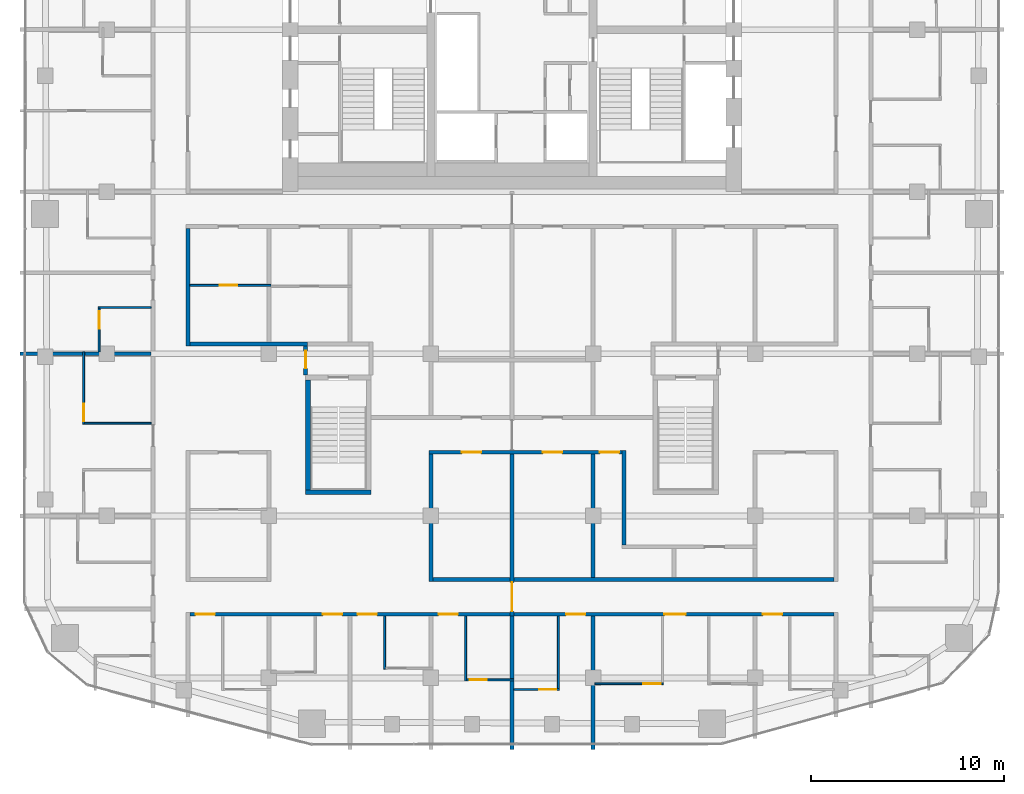
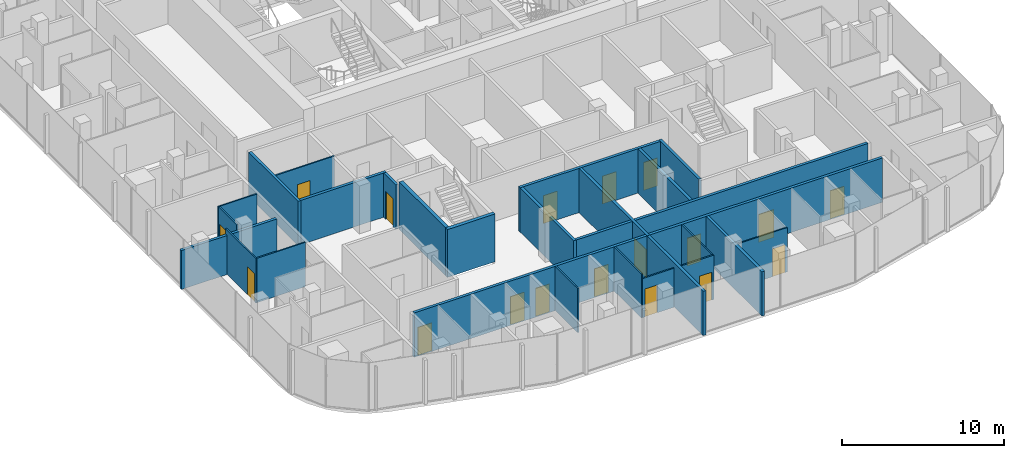
# One storey, part 14 of 22: 26 walls, 18 doors, 18 openings.
"""IFC4 building model written with IfcOpenShell, lengths in metres."""

from ifc_helpers import new_model, si_unit, direction, frame, frame_2d, origin, place, context, subcontext, project, spatial, rectangle, extrude, material, layer, layer_set, type_object, element, fill, save


model = new_model("IFC4")

# Units and contexts
model_context = context("Model", 3, precision=1e-05, world=origin(), true_north=direction((0.0, 1.0)))
body_context = subcontext(model_context, "Body", "Model", "MODEL_VIEW")
ifc_project = project(units=[si_unit("LENGTHUNIT", "METRE"), si_unit("AREAUNIT", "SQUARE_METRE"), si_unit("VOLUMEUNIT", "CUBIC_METRE"), si_unit("PLANEANGLEUNIT", "RADIAN"), si_unit("MASSUNIT", "GRAM", prefix="KILO")], contexts=[model_context])

# Site, building, storey
site_placement = place(None, origin())
site = spatial("IfcSite", under=ifc_project, at=site_placement, CompositionType="ELEMENT")
building_placement = place(site_placement, origin())
building = spatial("IfcBuilding", under=site, at=building_placement, Name="Marenta Gate Hotel Tower", CompositionType="ELEMENT")
storey_placement = place(building_placement, frame((0.0, 0.0, 209.300048828125)))
storey = spatial("IfcBuildingStorey", under=building, at=storey_placement, Name="L48", CompositionType="ELEMENT", Elevation=209.300048828125)

# Wall
ifc_material_1 = material(Name="Concrete blockwork", Category="masonry")
ifc_layer_1 = layer(ifc_material_1, 0.199951171875)
ifc_layer_set_1 = layer_set([ifc_layer_1], Name="Concrete blockwork")
wall_type_1 = type_object("IfcWallType", Name="Compartment wall 200 REI 180", PredefinedType="PARTITIONING", material=ifc_layer_set_1)
wall_1_placement = place(storey_placement, frame((0.0, -28.89990234375, 0.0), z_axis=(0.0, 0.0, 1.0), x_axis=(0.0, 1.0, 0.0)))
element("IfcWall", 1, at=wall_1_placement, inside=storey, type_object=wall_type_1, Name="L48-PTN-W080", PredefinedType="PARTITIONING", context=body_context, shape_type="SweptSolid", body=[
    extrude(rectangle(XDim=6.89990234375, YDim=0.199951171875, at=frame_2d((3.449951171875, 0.0))), origin(), (0.0, 0.0, 1.0), 3.33984375),
])

# Wall, opening, door
wall_2_placement = place(storey_placement, frame((0.0, -22.0, 0.0), z_axis=(0.0, 0.0, 1.0), x_axis=(0.0, 1.0, 0.0)))
wall_2 = element("IfcWall", 2, at=wall_2_placement, inside=storey, type_object=wall_type_1, Name="L48-PTN-W081", PredefinedType="PARTITIONING", context=body_context, shape_type="SweptSolid", body=[
    extrude(rectangle(XDim=8.39990234375, YDim=0.199951171875, at=frame_2d((4.199951171875, 0.0))), origin(), (0.0, 0.0, 1.0), 3.33984375),
])
opening_1_placement = place(wall_2_placement, frame((0.25, 0.0, 0.0)))
opening_1 = element("IfcOpeningElement", 3, at=opening_1_placement, cuts=wall_2, Name="Opening G17-FD4", PredefinedType="OPENING", context=body_context, shape_type="SweptSolid", body=[
    extrude(rectangle(XDim=1.5, YDim=2.10009765625, at=frame_2d((0.75, 1.050048828125))), frame((0.0, 0.10009765625, 0.0), z_axis=(0.0, -1.0, 0.0), x_axis=(1.0, 0.0, 0.0)), (0.0, 0.0, 1.0), 0.199951171875),
])
ifc_material_2 = material(Name="Hollow steel door set", Category="steel")
door_type_1 = type_object("IfcDoorType", Name="Compartment fire door 1500x2100 EI 60", OperationType="DOUBLE_DOOR_DOUBLE_SWING", PredefinedType="DOOR", material=ifc_material_2)
door_1_placement = place(opening_1_placement, origin())
door_1 = element("IfcDoor", 4, at=door_1_placement, inside=storey, type_object=door_type_1, Name="L48-PD-FD04", OperationType="DOUBLE_DOOR_DOUBLE_SWING", OverallHeight=2.10009765625, OverallWidth=1.5, PredefinedType="DOOR", context=body_context, shape_type="SweptSolid", body=[
    extrude(rectangle(XDim=1.5, YDim=2.10009765625, at=frame_2d((0.75, 1.050048828125))), frame((0.0, 0.02490234375, 0.0), z_axis=(0.0, -1.0, 0.0), x_axis=(1.0, 0.0, 0.0)), (0.0, 0.0, 1.0), 0.050048828125),
])
fill(opening_1, door_1)

# Walls
ifc_material_3 = material(Name="Concrete C40", Category="concrete")
ifc_layer_2 = layer(ifc_material_3, 0.25)
ifc_layer_set_2 = layer_set([ifc_layer_2], Name="Concrete C40")
wall_type_2 = type_object("IfcWallType", Name="Remote stair enclosure wall 250 REI 180", PredefinedType="SHEAR", material=ifc_layer_set_2)
wall_3_placement = place(storey_placement, frame((-10.699951171875, -15.574951171875, 0.099853515625), z_axis=(0.0, 0.0, 1.0), x_axis=(1.0, 0.0, 0.0)))
element("IfcWall", 5, at=wall_3_placement, inside=storey, type_object=wall_type_2, Name="L48-RS-Z3-1-W1", PredefinedType="SHEAR", context=body_context, shape_type="SweptSolid", body=[
    extrude(rectangle(XDim=3.39990234375, YDim=0.25, at=frame_2d((1.699951171875, 0.0))), origin(), (0.0, 0.0, 1.0), 3.60009765625),
])
wall_4_placement = place(storey_placement, frame((-10.574951171875, -15.449951171875, 0.099853515625), z_axis=(0.0, 0.0, 1.0), x_axis=(0.0, 1.0, 0.0)))
element("IfcWall", 6, at=wall_4_placement, inside=storey, type_object=wall_type_2, Name="L48-RS-Z3-1-W3", PredefinedType="SHEAR", context=body_context, shape_type="SweptSolid", body=[
    extrude(rectangle(XDim=5.699951171875, YDim=0.25, at=frame_2d((2.85009765625, 0.0))), origin(), (0.0, 0.0, 1.0), 3.60009765625),
])
ifc_material_4 = material(Name="Concrete blockwork", Category="masonry")
ifc_layer_3 = layer(ifc_material_4, 0.199951171875)
ifc_layer_set_3 = layer_set([ifc_layer_3], Name="Concrete blockwork")
wall_type_3 = type_object("IfcWallType", Name="Room corridor wall 200 EI 120", PredefinedType="PARTITIONING", material=ifc_layer_set_3)
wall_5_placement = place(storey_placement, frame((-16.699951171875, -7.89990234375, 0.0), z_axis=(0.0, 0.0, 1.0), x_axis=(1.0, 0.0, 0.0)))
element("IfcWall", 7, at=wall_5_placement, inside=storey, type_object=wall_type_3, Name="L48-PTN-W059", PredefinedType="PARTITIONING", context=body_context, shape_type="SweptSolid", body=[
    extrude(rectangle(XDim=6.099853515625, YDim=0.199951171875, at=frame_2d((3.0498046875, 0.0))), origin(), (0.0, 0.0, 1.0), 3.33984375),
])

# Wall, openings, doors
ifc_material_5 = material(Name="Gypsum board on steel stud", Category="steel")
ifc_layer_4 = layer(ifc_material_5, 0.199951171875)
ifc_layer_set_4 = layer_set([ifc_layer_4], Name="Gypsum board on steel stud")
wall_type_4 = type_object("IfcWallType", Name="Room corridor wall 200 EI 60", PredefinedType="PARTITIONING", material=ifc_layer_set_4)
wall_6_placement = place(storey_placement, frame((-16.699951171875, -21.89990234375, 0.0), z_axis=(0.0, 0.0, 1.0), x_axis=(1.0, 0.0, 0.0)))
wall_6 = element("IfcWall", 8, at=wall_6_placement, inside=storey, type_object=wall_type_4, Name="L48-PTN-W019", PredefinedType="PARTITIONING", context=body_context, shape_type="SweptSolid", body=[
    extrude(rectangle(XDim=33.39990234375, YDim=0.199951171875, at=frame_2d((16.699951171875, 0.0))), origin(), (0.0, 0.0, 1.0), 3.33984375),
])
opening_2_placement = place(wall_6_placement, frame((0.300048828125, 0.0, 0.0)))
opening_2 = element("IfcOpeningElement", 9, at=opening_2_placement, cuts=wall_6, Name="Opening G17-41", PredefinedType="OPENING", context=body_context, shape_type="SweptSolid", body=[
    extrude(rectangle(XDim=1.0, YDim=2.10009765625, at=frame_2d((0.5, 1.050048828125))), frame((0.0, 0.10009765625, 0.0), z_axis=(0.0, -1.0, 0.0), x_axis=(1.0, 0.0, 0.0)), (0.0, 0.0, 1.0), 0.199951171875),
])
opening_3_placement = place(wall_6_placement, frame((6.89990234375, 0.0, 0.0)))
opening_3 = element("IfcOpeningElement", 10, at=opening_3_placement, cuts=wall_6, Name="Opening G17-43", PredefinedType="OPENING", context=body_context, shape_type="SweptSolid", body=[
    extrude(rectangle(XDim=1.0, YDim=2.10009765625, at=frame_2d((0.5, 1.050048828125))), frame((0.0, 0.10009765625, 0.0), z_axis=(0.0, -1.0, 0.0), x_axis=(1.0, 0.0, 0.0)), (0.0, 0.0, 1.0), 0.199951171875),
])
opening_4_placement = place(wall_6_placement, frame((8.699951171875, 0.0, 0.0)))
opening_4 = element("IfcOpeningElement", 11, at=opening_4_placement, cuts=wall_6, Name="Opening G17-45", PredefinedType="OPENING", context=body_context, shape_type="SweptSolid", body=[
    extrude(rectangle(XDim=1.0, YDim=2.10009765625, at=frame_2d((0.5, 1.050048828125))), frame((0.0, 0.10009765625, 0.0), z_axis=(0.0, -1.0, 0.0), x_axis=(1.0, 0.0, 0.0)), (0.0, 0.0, 1.0), 0.199951171875),
])
opening_5_placement = place(wall_6_placement, frame((12.89990234375, 0.0, 0.0)))
opening_5 = element("IfcOpeningElement", 12, at=opening_5_placement, cuts=wall_6, Name="Opening G17-47", PredefinedType="OPENING", context=body_context, shape_type="SweptSolid", body=[
    extrude(rectangle(XDim=1.0, YDim=2.10009765625, at=frame_2d((0.5, 1.050048828125))), frame((0.0, 0.10009765625, 0.0), z_axis=(0.0, -1.0, 0.0), x_axis=(1.0, 0.0, 0.0)), (0.0, 0.0, 1.0), 0.199951171875),
])
opening_6_placement = place(wall_6_placement, frame((19.5, 0.0, 0.0)))
opening_6 = element("IfcOpeningElement", 13, at=opening_6_placement, cuts=wall_6, Name="Opening G17-49", PredefinedType="OPENING", context=body_context, shape_type="SweptSolid", body=[
    extrude(rectangle(XDim=1.0, YDim=2.10009765625, at=frame_2d((0.5, 1.050048828125))), frame((0.0, 0.10009765625, 0.0), z_axis=(0.0, -1.0, 0.0), x_axis=(1.0, 0.0, 0.0)), (0.0, 0.0, 1.0), 0.199951171875),
])
opening_7_placement = place(wall_6_placement, frame((24.60009765625, 0.0, 0.0)))
opening_7 = element("IfcOpeningElement", 14, at=opening_7_placement, cuts=wall_6, Name="Opening G17-51", PredefinedType="OPENING", context=body_context, shape_type="SweptSolid", body=[
    extrude(rectangle(XDim=1.10009765625, YDim=2.10009765625, at=frame_2d((0.550048828125, 1.050048828125))), frame((0.0, 0.10009765625, 0.0), z_axis=(0.0, -1.0, 0.0), x_axis=(1.0, 0.0, 0.0)), (0.0, 0.0, 1.0), 0.199951171875),
])
opening_8_placement = place(wall_6_placement, frame((29.699951171875, 0.0, 0.0)))
opening_8 = element("IfcOpeningElement", 15, at=opening_8_placement, cuts=wall_6, Name="Opening G17-54", PredefinedType="OPENING", context=body_context, shape_type="SweptSolid", body=[
    extrude(rectangle(XDim=1.0, YDim=2.10009765625, at=frame_2d((0.5, 1.050048828125))), frame((0.0, 0.10009765625, 0.0), z_axis=(0.0, -1.0, 0.0), x_axis=(1.0, 0.0, 0.0)), (0.0, 0.0, 1.0), 0.199951171875),
])
ifc_material_6 = material(Name="Timber door leaf", Category="wood")
door_type_2 = type_object("IfcDoorType", Name="Guest room door 1000x2100 EI 30", OperationType="NOTDEFINED", PredefinedType="DOOR", material=ifc_material_6)
door_2_placement = place(opening_2_placement, origin())
door_2 = element("IfcDoor", 16, at=door_2_placement, inside=storey, type_object=door_type_2, Name="L48-PD-D041", OperationType="SINGLE_SWING_RIGHT", OverallHeight=2.10009765625, OverallWidth=1.0, PredefinedType="DOOR", context=body_context, shape_type="SweptSolid", body=[
    extrude(rectangle(XDim=1.0, YDim=2.10009765625, at=frame_2d((0.5, 1.050048828125))), frame((0.0, 0.02490234375, 0.0), z_axis=(0.0, -1.0, 0.0), x_axis=(1.0, 0.0, 0.0)), (0.0, 0.0, 1.0), 0.050048828125),
])
fill(opening_2, door_2)
door_3_placement = place(opening_3_placement, origin())
door_3 = element("IfcDoor", 17, at=door_3_placement, inside=storey, type_object=door_type_2, Name="L48-PD-D043", OperationType="SINGLE_SWING_LEFT", OverallHeight=2.10009765625, OverallWidth=1.0, PredefinedType="DOOR", context=body_context, shape_type="SweptSolid", body=[
    extrude(rectangle(XDim=1.0, YDim=2.10009765625, at=frame_2d((0.5, 1.050048828125))), frame((0.0, 0.02490234375, 0.0), z_axis=(0.0, -1.0, 0.0), x_axis=(1.0, 0.0, 0.0)), (0.0, 0.0, 1.0), 0.050048828125),
])
fill(opening_3, door_3)
door_4_placement = place(opening_4_placement, origin())
door_4 = element("IfcDoor", 18, at=door_4_placement, inside=storey, type_object=door_type_2, Name="L48-PD-D045", OperationType="SINGLE_SWING_LEFT", OverallHeight=2.10009765625, OverallWidth=1.0, PredefinedType="DOOR", context=body_context, shape_type="SweptSolid", body=[
    extrude(rectangle(XDim=1.0, YDim=2.10009765625, at=frame_2d((0.5, 1.050048828125))), frame((0.0, 0.02490234375, 0.0), z_axis=(0.0, -1.0, 0.0), x_axis=(1.0, 0.0, 0.0)), (0.0, 0.0, 1.0), 0.050048828125),
])
fill(opening_4, door_4)
door_5_placement = place(opening_5_placement, origin())
door_5 = element("IfcDoor", 19, at=door_5_placement, inside=storey, type_object=door_type_2, Name="L48-PD-D047", OperationType="SINGLE_SWING_LEFT", OverallHeight=2.10009765625, OverallWidth=1.0, PredefinedType="DOOR", context=body_context, shape_type="SweptSolid", body=[
    extrude(rectangle(XDim=1.0, YDim=2.10009765625, at=frame_2d((0.5, 1.050048828125))), frame((0.0, 0.02490234375, 0.0), z_axis=(0.0, -1.0, 0.0), x_axis=(1.0, 0.0, 0.0)), (0.0, 0.0, 1.0), 0.050048828125),
])
fill(opening_5, door_5)
door_6_placement = place(opening_6_placement, origin())
door_6 = element("IfcDoor", 20, at=door_6_placement, inside=storey, type_object=door_type_2, Name="L48-PD-D049", OperationType="SINGLE_SWING_LEFT", OverallHeight=2.10009765625, OverallWidth=1.0, PredefinedType="DOOR", context=body_context, shape_type="SweptSolid", body=[
    extrude(rectangle(XDim=1.0, YDim=2.10009765625, at=frame_2d((0.5, 1.050048828125))), frame((0.0, 0.02490234375, 0.0), z_axis=(0.0, -1.0, 0.0), x_axis=(1.0, 0.0, 0.0)), (0.0, 0.0, 1.0), 0.050048828125),
])
fill(opening_6, door_6)
door_7_placement = place(opening_8_placement, origin())
door_7 = element("IfcDoor", 21, at=door_7_placement, inside=storey, type_object=door_type_2, Name="L48-PD-D054", OperationType="SINGLE_SWING_RIGHT", OverallHeight=2.10009765625, OverallWidth=1.0, PredefinedType="DOOR", context=body_context, shape_type="SweptSolid", body=[
    extrude(rectangle(XDim=1.0, YDim=2.10009765625, at=frame_2d((0.5, 1.050048828125))), frame((0.0, 0.02490234375, 0.0), z_axis=(0.0, -1.0, 0.0), x_axis=(1.0, 0.0, 0.0)), (0.0, 0.0, 1.0), 0.050048828125),
])
fill(opening_8, door_7)
ifc_material_7 = material(Name="Timber door leaf", Category="wood")
door_type_3 = type_object("IfcDoorType", Name="Guest room door 1100x2100 EI 30", OperationType="NOTDEFINED", PredefinedType="DOOR", material=ifc_material_7)
door_8_placement = place(opening_7_placement, origin())
door_8 = element("IfcDoor", 22, at=door_8_placement, inside=storey, type_object=door_type_3, Name="L48-PD-D051", OperationType="SINGLE_SWING_RIGHT", OverallHeight=2.10009765625, OverallWidth=1.10009765625, PredefinedType="DOOR", context=body_context, shape_type="SweptSolid", body=[
    extrude(rectangle(XDim=1.10009765625, YDim=2.10009765625, at=frame_2d((0.550048828125, 1.050048828125))), frame((0.0, 0.02490234375, 0.0), z_axis=(0.0, -1.0, 0.0), x_axis=(1.0, 0.0, 0.0)), (0.0, 0.0, 1.0), 0.050048828125),
])
fill(opening_7, door_8)

# Wall
wall_7_placement = place(storey_placement, frame((-4.10009765625, -20.10009765625, 0.0), z_axis=(0.0, 0.0, 1.0), x_axis=(1.0, 0.0, 0.0)))
element("IfcWall", 23, at=wall_7_placement, inside=storey, type_object=wall_type_4, Name="L48-PTN-W026", PredefinedType="PARTITIONING", context=body_context, shape_type="SweptSolid", body=[
    extrude(rectangle(XDim=20.800048828125, YDim=0.199951171875, at=frame_2d((10.39990234375, 0.0))), origin(), (0.0, 0.0, 1.0), 3.33984375),
])

# Wall, openings, doors
wall_8_placement = place(storey_placement, frame((-4.300048828125, -13.5, 0.0), z_axis=(0.0, 0.0, 1.0), x_axis=(1.0, 0.0, 0.0)))
wall_8 = element("IfcWall", 24, at=wall_8_placement, inside=storey, type_object=wall_type_4, Name="L48-PTN-W042", PredefinedType="PARTITIONING", context=body_context, shape_type="SweptSolid", body=[
    extrude(rectangle(XDim=10.0, YDim=0.199951171875, at=frame_2d((5.0, 0.0))), origin(), (0.0, 0.0, 1.0), 3.33984375),
])
opening_9_placement = place(wall_8_placement, frame((1.699951171875, 0.0, 0.0)))
opening_9 = element("IfcOpeningElement", 25, at=opening_9_placement, cuts=wall_8, Name="Opening G17-11", PredefinedType="OPENING", context=body_context, shape_type="SweptSolid", body=[
    extrude(rectangle(XDim=1.0, YDim=2.10009765625, at=frame_2d((0.5, 1.050048828125))), frame((0.0, 0.10009765625, 0.0), z_axis=(0.0, -1.0, 0.0), x_axis=(1.0, 0.0, 0.0)), (0.0, 0.0, 1.0), 0.199951171875),
])
opening_10_placement = place(wall_8_placement, frame((5.89990234375, 0.0, 0.0)))
opening_10 = element("IfcOpeningElement", 26, at=opening_10_placement, cuts=wall_8, Name="Opening G17-12", PredefinedType="OPENING", context=body_context, shape_type="SweptSolid", body=[
    extrude(rectangle(XDim=1.0, YDim=2.10009765625, at=frame_2d((0.5, 1.050048828125))), frame((0.0, 0.10009765625, 0.0), z_axis=(0.0, -1.0, 0.0), x_axis=(1.0, 0.0, 0.0)), (0.0, 0.0, 1.0), 0.199951171875),
])
opening_11_placement = place(wall_8_placement, frame((8.85009765625, 0.0, 0.0)))
opening_11 = element("IfcOpeningElement", 27, at=opening_11_placement, cuts=wall_8, Name="Opening G17-13", PredefinedType="OPENING", context=body_context, shape_type="SweptSolid", body=[
    extrude(rectangle(XDim=1.0, YDim=2.10009765625, at=frame_2d((0.5, 1.050048828125))), frame((0.0, 0.10009765625, 0.0), z_axis=(0.0, -1.0, 0.0), x_axis=(1.0, 0.0, 0.0)), (0.0, 0.0, 1.0), 0.199951171875),
])
ifc_material_8 = material(Name="Timber door leaf", Category="wood")
door_type_4 = type_object("IfcDoorType", Name="Room amenity door 1000x2100 EI 30", OperationType="NOTDEFINED", PredefinedType="DOOR", material=ifc_material_8)
door_9_placement = place(opening_9_placement, origin())
door_9 = element("IfcDoor", 28, at=door_9_placement, inside=storey, type_object=door_type_4, Name="L48-PD-D011", OperationType="SINGLE_SWING_LEFT", OverallHeight=2.10009765625, OverallWidth=1.0, PredefinedType="DOOR", context=body_context, shape_type="SweptSolid", body=[
    extrude(rectangle(XDim=1.0, YDim=2.10009765625, at=frame_2d((0.5, 1.050048828125))), frame((0.0, 0.02490234375, 0.0), z_axis=(0.0, -1.0, 0.0), x_axis=(1.0, 0.0, 0.0)), (0.0, 0.0, 1.0), 0.050048828125),
])
fill(opening_9, door_9)
door_10_placement = place(opening_10_placement, origin())
door_10 = element("IfcDoor", 29, at=door_10_placement, inside=storey, type_object=door_type_4, Name="L48-PD-D012", OperationType="SINGLE_SWING_RIGHT", OverallHeight=2.10009765625, OverallWidth=1.0, PredefinedType="DOOR", context=body_context, shape_type="SweptSolid", body=[
    extrude(rectangle(XDim=1.0, YDim=2.10009765625, at=frame_2d((0.5, 1.050048828125))), frame((0.0, 0.02490234375, 0.0), z_axis=(0.0, -1.0, 0.0), x_axis=(1.0, 0.0, 0.0)), (0.0, 0.0, 1.0), 0.050048828125),
])
fill(opening_10, door_10)
door_11_placement = place(opening_11_placement, origin())
door_11 = element("IfcDoor", 30, at=door_11_placement, inside=storey, type_object=door_type_4, Name="L48-PD-D013", OperationType="SINGLE_SWING_LEFT", OverallHeight=2.10009765625, OverallWidth=1.0, PredefinedType="DOOR", context=body_context, shape_type="SweptSolid", body=[
    extrude(rectangle(XDim=1.0, YDim=2.10009765625, at=frame_2d((0.5, 1.050048828125))), frame((0.0, 0.02490234375, 0.0), z_axis=(0.0, -1.0, 0.0), x_axis=(1.0, 0.0, 0.0)), (0.0, 0.0, 1.0), 0.050048828125),
])
fill(opening_11, door_11)

# Walls
wall_9_placement = place(storey_placement, frame((5.800048828125, -18.300048828125, 0.0), z_axis=(0.0, 0.0, 1.0), x_axis=(0.0, 1.0, 0.0)))
element("IfcWall", 31, at=wall_9_placement, inside=storey, type_object=wall_type_4, Name="L48-PTN-W067", PredefinedType="PARTITIONING", context=body_context, shape_type="SweptSolid", body=[
    extrude(rectangle(XDim=4.900146484375, YDim=0.199951171875, at=frame_2d((2.4501953125, 0.0))), origin(), (0.0, 0.0, 1.0), 3.33984375),
])
wall_10_placement = place(storey_placement, frame((-4.199951171875, -20.199951171875, 0.0), z_axis=(0.0, 0.0, 1.0), x_axis=(0.0, 1.0, 0.0)))
element("IfcWall", 32, at=wall_10_placement, inside=storey, type_object=wall_type_4, Name="L48-PTN-W090", PredefinedType="PARTITIONING", context=body_context, shape_type="SweptSolid", body=[
    extrude(rectangle(XDim=6.599853515625, YDim=0.199951171875, at=frame_2d((3.2998046875, 0.0))), origin(), (0.0, 0.0, 1.0), 3.33984375),
])
wall_11_placement = place(storey_placement, frame((-16.800048828125, -8.0, 0.0), z_axis=(0.0, 0.0, 1.0), x_axis=(0.0, 1.0, 0.0)))
element("IfcWall", 33, at=wall_11_placement, inside=storey, type_object=wall_type_4, Name="L48-PTN-W114", PredefinedType="PARTITIONING", context=body_context, shape_type="SweptSolid", body=[
    extrude(rectangle(XDim=6.10009765625, YDim=0.199951171875, at=frame_2d((3.050048828125, 0.0))), origin(), (0.0, 0.0, 1.0), 3.33984375),
])

# Wall, opening, door
ifc_material_9 = material(Name="Concrete blockwork", Category="masonry")
ifc_layer_5 = layer(ifc_material_9, 0.199951171875)
ifc_layer_set_5 = layer_set([ifc_layer_5], Name="Concrete blockwork")
wall_type_5 = type_object("IfcWallType", Name="Room corridor wall 200 REI 180", PredefinedType="PARTITIONING", material=ifc_layer_set_5)
wall_12_placement = place(storey_placement, frame((-10.699951171875, -9.5, 0.0), z_axis=(0.0, 0.0, 1.0), x_axis=(0.0, 1.0, 0.0)))
wall_12 = element("IfcWall", 34, at=wall_12_placement, inside=storey, type_object=wall_type_5, Name="L48-PTN-W101", PredefinedType="PARTITIONING", context=body_context, shape_type="SweptSolid", body=[
    extrude(rectangle(XDim=1.5, YDim=0.199951171875, at=frame_2d((0.75, 0.0))), origin(), (0.0, 0.0, 1.0), 3.33984375),
])
opening_12_placement = place(wall_12_placement, frame((0.35009765625, 0.0, 0.0)))
opening_12 = element("IfcOpeningElement", 35, at=opening_12_placement, cuts=wall_12, Name="Opening G17-75", PredefinedType="OPENING", context=body_context, shape_type="SweptSolid", body=[
    extrude(rectangle(XDim=0.89990234375, YDim=2.10009765625, at=frame_2d((0.449951171875, 1.050048828125))), frame((0.0, 0.10009765625, 0.0), z_axis=(0.0, -1.0, 0.0), x_axis=(1.0, 0.0, 0.0)), (0.0, 0.0, 1.0), 0.199951171875),
])
ifc_material_10 = material(Name="Hollow steel door set", Category="steel")
door_type_5 = type_object("IfcDoorType", Name="Stair vestibule door 900x2100 EI 60", OperationType="NOTDEFINED", PredefinedType="DOOR", material=ifc_material_10)
door_12_placement = place(opening_12_placement, origin())
door_12 = element("IfcDoor", 36, at=door_12_placement, inside=storey, type_object=door_type_5, Name="L48-PD-D075", OperationType="SINGLE_SWING_LEFT", OverallHeight=2.10009765625, OverallWidth=0.89990234375, PredefinedType="DOOR", context=body_context, shape_type="SweptSolid", body=[
    extrude(rectangle(XDim=0.89990234375, YDim=2.10009765625, at=frame_2d((0.449951171875, 1.050048828125))), frame((0.0, 0.02490234375, 0.0), z_axis=(0.0, -1.0, 0.0), x_axis=(1.0, 0.0, 0.0)), (0.0, 0.0, 1.0), 0.050048828125),
])
fill(opening_12, door_12)

ifc_material_11 = material(Name="Gypsum board on steel stud", Category="steel")
ifc_layer_6 = layer(ifc_material_11, 0.10009765625)
ifc_layer_set_6 = layer_set([ifc_layer_6], Name="Gypsum board on steel stud")
wall_type_6 = type_object("IfcWallType", Name="Room partition 100", PredefinedType="PARTITIONING", material=ifc_layer_set_6)
wall_13_placement = place(storey_placement, frame((0.10009765625, -25.800048828125, 0.0), z_axis=(0.0, 0.0, 1.0), x_axis=(1.0, 0.0, 0.0)))
wall_13 = element("IfcWall", 37, at=wall_13_placement, inside=storey, type_object=wall_type_6, Name="L48-PTN-W002", PredefinedType="PARTITIONING", context=body_context, shape_type="SweptSolid", body=[
    extrude(rectangle(XDim=2.349853515625, YDim=0.10009765625, at=frame_2d((1.1748046875, 0.0))), origin(), (0.0, 0.0, 1.0), 3.33984375),
])
opening_13_placement = place(wall_13_placement, frame((1.300048828125, 0.0, 0.0)))
opening_13 = element("IfcOpeningElement", 38, at=opening_13_placement, cuts=wall_13, Name="Opening G17-50", PredefinedType="OPENING", context=body_context, shape_type="SweptSolid", body=[
    extrude(rectangle(XDim=0.89990234375, YDim=2.10009765625, at=frame_2d((0.449951171875, 1.050048828125))), frame((0.0, 0.050048828125, 0.0), z_axis=(0.0, -1.0, 0.0), x_axis=(1.0, 0.0, 0.0)), (0.0, 0.0, 1.0), 0.10009765625),
])
ifc_material_12 = material(Name="Timber door leaf", Category="wood")
door_type_6 = type_object("IfcDoorType", Name="Guest bathroom door 900x2100", OperationType="NOTDEFINED", PredefinedType="DOOR", material=ifc_material_12)
door_13_placement = place(opening_13_placement, origin())
door_13 = element("IfcDoor", 39, at=door_13_placement, inside=storey, type_object=door_type_6, Name="L48-PD-D050", OperationType="SINGLE_SWING_RIGHT", OverallHeight=2.10009765625, OverallWidth=0.89990234375, PredefinedType="DOOR", context=body_context, shape_type="SweptSolid", body=[
    extrude(rectangle(XDim=0.89990234375, YDim=2.10009765625, at=frame_2d((0.449951171875, 1.050048828125))), frame((0.0, 0.02490234375, 0.0), z_axis=(0.0, -1.0, 0.0), x_axis=(1.0, 0.0, 0.0)), (0.0, 0.0, 1.0), 0.050048828125),
])
fill(opening_13, door_13)

wall_14_placement = place(storey_placement, frame((4.300048828125, -25.5, 0.0), z_axis=(0.0, 0.0, 1.0), x_axis=(1.0, 0.0, 0.0)))
wall_14 = element("IfcWall", 40, at=wall_14_placement, inside=storey, type_object=wall_type_6, Name="L48-PTN-W004", PredefinedType="PARTITIONING", context=body_context, shape_type="SweptSolid", body=[
    extrude(rectangle(XDim=3.550048828125, YDim=0.10009765625, at=frame_2d((1.77490234375, 0.0))), origin(), (0.0, 0.0, 1.0), 3.33984375),
])
opening_14_placement = place(wall_14_placement, frame((2.5, 0.0, 0.0)))
opening_14 = element("IfcOpeningElement", 41, at=opening_14_placement, cuts=wall_14, Name="Opening G17-52", PredefinedType="OPENING", context=body_context, shape_type="SweptSolid", body=[
    extrude(rectangle(XDim=0.89990234375, YDim=2.10009765625, at=frame_2d((0.449951171875, 1.050048828125))), frame((0.0, 0.050048828125, 0.0), z_axis=(0.0, -1.0, 0.0), x_axis=(1.0, 0.0, 0.0)), (0.0, 0.0, 1.0), 0.10009765625),
])
door_14_placement = place(opening_14_placement, origin())
door_14 = element("IfcDoor", 42, at=door_14_placement, inside=storey, type_object=door_type_6, Name="L48-PD-D052", OperationType="SINGLE_SWING_RIGHT", OverallHeight=2.10009765625, OverallWidth=0.89990234375, PredefinedType="DOOR", context=body_context, shape_type="SweptSolid", body=[
    extrude(rectangle(XDim=0.89990234375, YDim=2.10009765625, at=frame_2d((0.449951171875, 1.050048828125))), frame((0.0, 0.02490234375, 0.0), z_axis=(0.0, -1.0, 0.0), x_axis=(1.0, 0.0, 0.0)), (0.0, 0.0, 1.0), 0.050048828125),
])
fill(opening_14, door_14)

wall_15_placement = place(storey_placement, frame((-2.35009765625, -25.300048828125, 0.0), z_axis=(0.0, 0.0, 1.0), x_axis=(1.0, 0.0, 0.0)))
wall_15 = element("IfcWall", 43, at=wall_15_placement, inside=storey, type_object=wall_type_6, Name="L48-PTN-W006", PredefinedType="PARTITIONING", context=body_context, shape_type="SweptSolid", body=[
    extrude(rectangle(XDim=2.4501953125, YDim=0.10009765625, at=frame_2d((1.22509765625, 0.0))), origin(), (0.0, 0.0, 1.0), 2.93994140625),
])
opening_15_placement = place(wall_15_placement, frame((0.14990234375, 0.0, 0.0)))
opening_15 = element("IfcOpeningElement", 44, at=opening_15_placement, cuts=wall_15, Name="Opening G17-48", PredefinedType="OPENING", context=body_context, shape_type="SweptSolid", body=[
    extrude(rectangle(XDim=0.89990234375, YDim=2.10009765625, at=frame_2d((0.449951171875, 1.050048828125))), frame((0.0, 0.050048828125, 0.0), z_axis=(0.0, -1.0, 0.0), x_axis=(1.0, 0.0, 0.0)), (0.0, 0.0, 1.0), 0.10009765625),
])
door_15_placement = place(opening_15_placement, origin())
door_15 = element("IfcDoor", 45, at=door_15_placement, inside=storey, type_object=door_type_6, Name="L48-PD-D048", OperationType="SINGLE_SWING_LEFT", OverallHeight=2.10009765625, OverallWidth=0.89990234375, PredefinedType="DOOR", context=body_context, shape_type="SweptSolid", body=[
    extrude(rectangle(XDim=0.89990234375, YDim=2.10009765625, at=frame_2d((0.449951171875, 1.050048828125))), frame((0.0, 0.02490234375, 0.0), z_axis=(0.0, -1.0, 0.0), x_axis=(1.0, 0.0, 0.0)), (0.0, 0.0, 1.0), 0.050048828125),
])
fill(opening_15, door_15)

# Walls
wall_16_placement = place(storey_placement, frame((-22.14990234375, -12.0, 0.0), z_axis=(0.0, 0.0, 1.0), x_axis=(1.0, 0.0, 0.0)))
element("IfcWall", 46, at=wall_16_placement, inside=storey, type_object=wall_type_6, Name="L48-PTN-W049", PredefinedType="PARTITIONING", context=body_context, shape_type="SweptSolid", body=[
    extrude(rectangle(XDim=3.449951171875, YDim=0.10009765625, at=frame_2d((1.72509765625, 0.0))), origin(), (0.0, 0.0, 1.0), 3.33984375),
])
wall_17_placement = place(storey_placement, frame((-21.449951171875, -6.0, 0.0), z_axis=(0.0, 0.0, 1.0), x_axis=(1.0, 0.0, 0.0)))
element("IfcWall", 47, at=wall_17_placement, inside=storey, type_object=wall_type_6, Name="L48-PTN-W065", PredefinedType="PARTITIONING", context=body_context, shape_type="SweptSolid", body=[
    extrude(rectangle(XDim=2.75, YDim=0.10009765625, at=frame_2d((1.375, 0.0))), origin(), (0.0, 0.0, 1.0), 3.33984375),
])

# Wall, opening, door
wall_18_placement = place(storey_placement, frame((-16.699951171875, -4.85009765625, 0.0), z_axis=(0.0, 0.0, 1.0), x_axis=(1.0, 0.0, 0.0)))
wall_18 = element("IfcWall", 48, at=wall_18_placement, inside=storey, type_object=wall_type_6, Name="L48-PTN-W069", PredefinedType="PARTITIONING", context=body_context, shape_type="SweptSolid", body=[
    extrude(rectangle(XDim=4.199951171875, YDim=0.10009765625, at=frame_2d((2.10009765625, 0.0))), origin(), (0.0, 0.0, 1.0), 3.33984375),
])
opening_16_placement = place(wall_18_placement, frame((1.550048828125, 0.0, 0.0)))
opening_16 = element("IfcOpeningElement", 49, at=opening_16_placement, cuts=wall_18, Name="Opening G17-02", PredefinedType="OPENING", context=body_context, shape_type="SweptSolid", body=[
    extrude(rectangle(XDim=0.89990234375, YDim=2.10009765625, at=frame_2d((0.449951171875, 1.050048828125))), frame((0.0, 0.050048828125, 0.0), z_axis=(0.0, -1.0, 0.0), x_axis=(1.0, 0.0, 0.0)), (0.0, 0.0, 1.0), 0.10009765625),
])
ifc_material_13 = material(Name="Timber door leaf", Category="wood")
door_type_7 = type_object("IfcDoorType", Name="Room inner door 900x2100", OperationType="NOTDEFINED", PredefinedType="DOOR", material=ifc_material_13)
door_16_placement = place(opening_16_placement, origin())
door_16 = element("IfcDoor", 50, at=door_16_placement, inside=storey, type_object=door_type_7, Name="L48-PD-D002", OperationType="SINGLE_SWING_RIGHT", OverallHeight=2.10009765625, OverallWidth=0.89990234375, PredefinedType="DOOR", context=body_context, shape_type="SweptSolid", body=[
    extrude(rectangle(XDim=0.89990234375, YDim=2.10009765625, at=frame_2d((0.449951171875, 1.050048828125))), frame((0.0, 0.02490234375, 0.0), z_axis=(0.0, -1.0, 0.0), x_axis=(1.0, 0.0, 0.0)), (0.0, 0.0, 1.0), 0.050048828125),
])
fill(opening_16, door_16)

# Walls
wall_19_placement = place(storey_placement, frame((2.39990234375, -25.75, 0.0), z_axis=(0.0, 0.0, 1.0), x_axis=(0.0, 1.0, 0.0)))
element("IfcWall", 51, at=wall_19_placement, inside=storey, type_object=wall_type_6, Name="L48-PTN-W076", PredefinedType="PARTITIONING", context=body_context, shape_type="SweptSolid", body=[
    extrude(rectangle(XDim=3.75, YDim=0.10009765625, at=frame_2d((1.875, 0.0))), origin(), (0.0, 0.0, 1.0), 3.33984375),
])
wall_20_placement = place(storey_placement, frame((-2.39990234375, -25.35009765625, 0.0), z_axis=(0.0, 0.0, 1.0), x_axis=(0.0, 1.0, 0.0)))
element("IfcWall", 52, at=wall_20_placement, inside=storey, type_object=wall_type_6, Name="L48-PTN-W085", PredefinedType="PARTITIONING", context=body_context, shape_type="SweptSolid", body=[
    extrude(rectangle(XDim=3.35009765625, YDim=0.10009765625, at=frame_2d((1.675048828125, 0.0))), origin(), (0.0, 0.0, 1.0), 3.33984375),
])
wall_21_placement = place(storey_placement, frame((-6.60009765625, -24.75, 0.0), z_axis=(0.0, 0.0, 1.0), x_axis=(0.0, 1.0, 0.0)))
element("IfcWall", 53, at=wall_21_placement, inside=storey, type_object=wall_type_6, Name="L48-PTN-W094", PredefinedType="PARTITIONING", context=body_context, shape_type="SweptSolid", body=[
    extrude(rectangle(XDim=2.75, YDim=0.10009765625, at=frame_2d((1.375, 0.0))), origin(), (0.0, 0.0, 1.0), 3.33984375),
])

# Wall, opening, door
wall_22_placement = place(storey_placement, frame((-21.39990234375, -8.300048828125, 0.0), z_axis=(0.0, 0.0, 1.0), x_axis=(0.0, 1.0, 0.0)))
wall_22 = element("IfcWall", 54, at=wall_22_placement, inside=storey, type_object=wall_type_6, Name="L48-PTN-W123", PredefinedType="PARTITIONING", context=body_context, shape_type="SweptSolid", body=[
    extrude(rectangle(XDim=2.25, YDim=0.10009765625, at=frame_2d((1.125, 0.0))), origin(), (0.0, 0.0, 1.0), 3.33984375),
])
opening_17_placement = place(wall_22_placement, frame((1.199951171875, 0.0, 0.0)))
opening_17 = element("IfcOpeningElement", 55, at=opening_17_placement, cuts=wall_22, Name="Opening G17-64", PredefinedType="OPENING", context=body_context, shape_type="SweptSolid", body=[
    extrude(rectangle(XDim=0.89990234375, YDim=2.10009765625, at=frame_2d((0.449951171875, 1.050048828125))), frame((0.0, 0.050048828125, 0.0), z_axis=(0.0, -1.0, 0.0), x_axis=(1.0, 0.0, 0.0)), (0.0, 0.0, 1.0), 0.10009765625),
])
door_17_placement = place(opening_17_placement, origin())
door_17 = element("IfcDoor", 56, at=door_17_placement, inside=storey, type_object=door_type_6, Name="L48-PD-D064", OperationType="SINGLE_SWING_LEFT", OverallHeight=2.10009765625, OverallWidth=0.89990234375, PredefinedType="DOOR", context=body_context, shape_type="SweptSolid", body=[
    extrude(rectangle(XDim=0.89990234375, YDim=2.10009765625, at=frame_2d((0.449951171875, 1.050048828125))), frame((0.0, 0.02490234375, 0.0), z_axis=(0.0, -1.0, 0.0), x_axis=(1.0, 0.0, 0.0)), (0.0, 0.0, 1.0), 0.050048828125),
])
fill(opening_17, door_17)

wall_23_placement = place(storey_placement, frame((-22.199951171875, -12.050048828125, 0.0), z_axis=(0.0, 0.0, 1.0), x_axis=(0.0, 1.0, 0.0)))
wall_23 = element("IfcWall", 57, at=wall_23_placement, inside=storey, type_object=wall_type_6, Name="L48-PTN-W127", PredefinedType="PARTITIONING", context=body_context, shape_type="SweptSolid", body=[
    extrude(rectangle(XDim=3.75, YDim=0.10009765625, at=frame_2d((1.875, 0.0))), origin(), (0.0, 0.0, 1.0), 3.33984375),
])
opening_18_placement = place(wall_23_placement, frame((0.14990234375, 0.0, 0.0)))
opening_18 = element("IfcOpeningElement", 58, at=opening_18_placement, cuts=wall_23, Name="Opening G17-61", PredefinedType="OPENING", context=body_context, shape_type="SweptSolid", body=[
    extrude(rectangle(XDim=0.89990234375, YDim=2.10009765625, at=frame_2d((0.449951171875, 1.050048828125))), frame((0.0, 0.050048828125, 0.0), z_axis=(0.0, -1.0, 0.0), x_axis=(1.0, 0.0, 0.0)), (0.0, 0.0, 1.0), 0.10009765625),
])
door_18_placement = place(opening_18_placement, origin())
door_18 = element("IfcDoor", 59, at=door_18_placement, inside=storey, type_object=door_type_6, Name="L48-PD-D061", OperationType="SINGLE_SWING_RIGHT", OverallHeight=2.10009765625, OverallWidth=0.89990234375, PredefinedType="DOOR", context=body_context, shape_type="SweptSolid", body=[
    extrude(rectangle(XDim=0.89990234375, YDim=2.10009765625, at=frame_2d((0.449951171875, 1.050048828125))), frame((0.0, 0.02490234375, 0.0), z_axis=(0.0, -1.0, 0.0), x_axis=(1.0, 0.0, 0.0)), (0.0, 0.0, 1.0), 0.050048828125),
])
fill(opening_18, door_18)

# Walls
ifc_material_14 = material(Name="Gypsum board on steel stud", Category="steel")
ifc_layer_7 = layer(ifc_material_14, 0.199951171875)
ifc_layer_set_7 = layer_set([ifc_layer_7], Name="Gypsum board on steel stud")
wall_type_7 = type_object("IfcWallType", Name="Room party wall 200 EI 60", PredefinedType="PARTITIONING", material=ifc_layer_set_7)
wall_24_placement = place(storey_placement, frame((-25.5, -8.39990234375, 0.0), z_axis=(0.0, 0.0, 1.0), x_axis=(1.0, 0.0, 0.0)))
element("IfcWall", 60, at=wall_24_placement, inside=storey, type_object=wall_type_7, Name="L48-PTN-W057", PredefinedType="PARTITIONING", context=body_context, shape_type="SweptSolid", body=[
    extrude(rectangle(XDim=6.800048828125, YDim=0.199951171875, at=frame_2d((3.39990234375, 0.0))), origin(), (0.0, 0.0, 1.0), 2.93994140625),
])
wall_25_placement = place(storey_placement, frame((4.199951171875, -28.89990234375, 0.0), z_axis=(0.0, 0.0, 1.0), x_axis=(0.0, 1.0, 0.0)))
element("IfcWall", 61, at=wall_25_placement, inside=storey, type_object=wall_type_7, Name="L48-PTN-W070", PredefinedType="PARTITIONING", context=body_context, shape_type="SweptSolid", body=[
    extrude(rectangle(XDim=6.89990234375, YDim=0.199951171875, at=frame_2d((3.449951171875, 0.0))), origin(), (0.0, 0.0, 1.0), 3.33984375),
])
wall_26_placement = place(storey_placement, frame((4.199951171875, -20.0, 0.0), z_axis=(0.0, 0.0, 1.0), x_axis=(0.0, 1.0, 0.0)))
element("IfcWall", 62, at=wall_26_placement, inside=storey, type_object=wall_type_7, Name="L48-PTN-W071", PredefinedType="PARTITIONING", context=body_context, shape_type="SweptSolid", body=[
    extrude(rectangle(XDim=6.39990234375, YDim=0.199951171875, at=frame_2d((3.199951171875, 0.0))), origin(), (0.0, 0.0, 1.0), 3.33984375),
])

save(model, "model.ifc")
